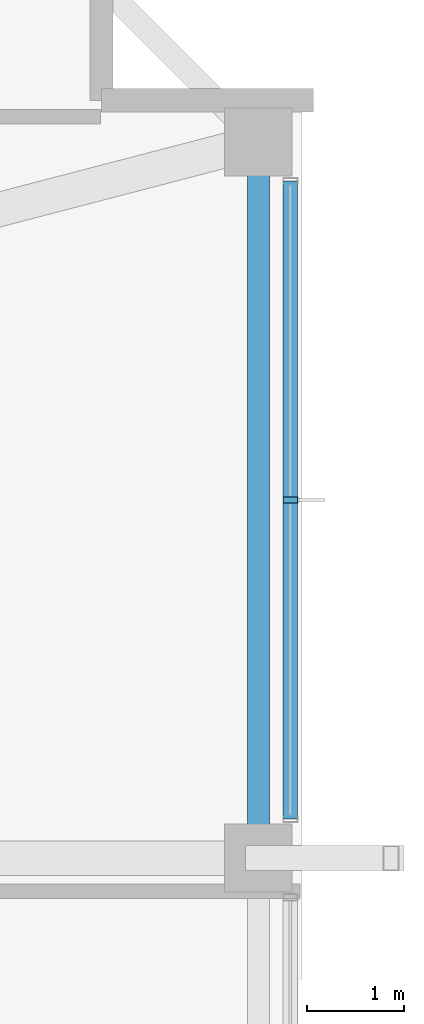
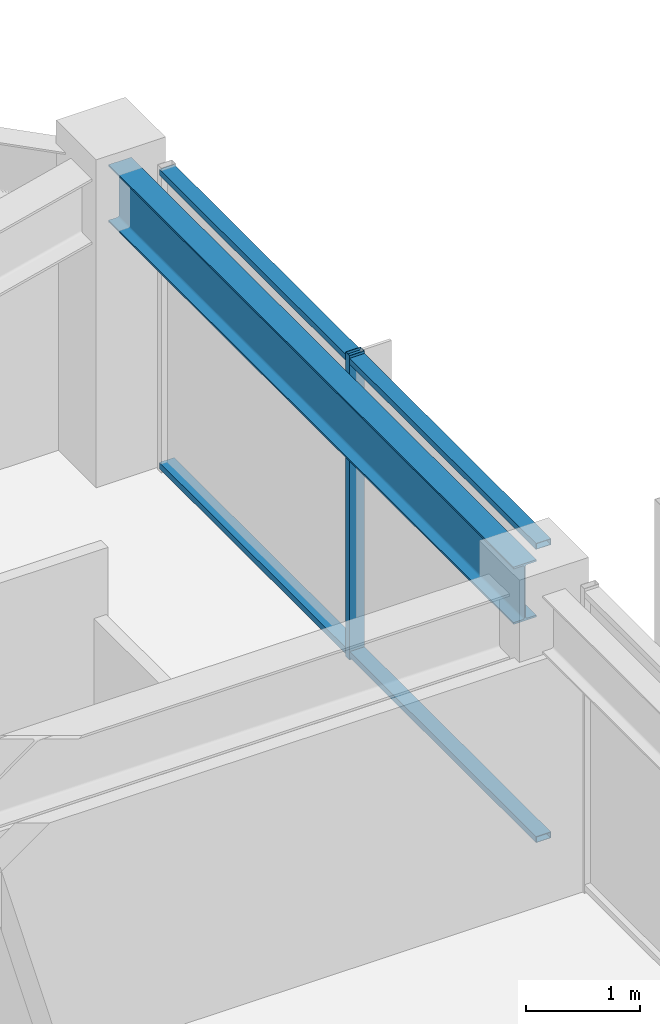
# One storey, part 13 of 31: 3 members, 1 beam, 1 element without a shape of its own.
"""IFC4 building model written with IfcOpenShell, lengths in metres."""

from ifc_helpers import new_model, si_unit, direction, frame, origin, origin_2d, place, context, subcontext, project, spatial, hollow_rectangle, i_section, extrude, material, material_profile, profile_set, type_object, element, aggregate, save


model = new_model("IFC4")

# Units and contexts
model_context = context("Model", 3, precision=1e-05, world=origin(), true_north=direction((0.0, 1.0)))
body_context = subcontext(model_context, "Body", "Model", "MODEL_VIEW")
ifc_project = project(units=[si_unit("LENGTHUNIT", "METRE"), si_unit("AREAUNIT", "SQUARE_METRE"), si_unit("VOLUMEUNIT", "CUBIC_METRE"), si_unit("PLANEANGLEUNIT", "RADIAN"), si_unit("MASSUNIT", "GRAM", prefix="KILO")], contexts=[model_context])

# Site, building, storey
site_placement = place(None, origin())
site = spatial("IfcSite", under=ifc_project, at=site_placement, CompositionType="ELEMENT")
building_placement = place(site_placement, origin())
building = spatial("IfcBuilding", under=site, at=building_placement, Name="Kolvaren Belvedere", CompositionType="ELEMENT")
storey_placement = place(building_placement, frame((0.0, 0.0, 247.89990234375)))
storey = spatial("IfcBuildingStorey", under=building, at=storey_placement, Name="L72", CompositionType="ELEMENT", Elevation=247.89990234375)

# Beam
ifc_material_1 = material(Name="Structural steel ASTM A992 Grade 50", Category="steel")
ifc_material_profile_1 = material_profile(ifc_material_1, i_section(OverallWidth=0.22900390625, OverallDepth=0.612060546875, WebThickness=0.011962890625, FlangeThickness=0.01953125, FilletRadius=0.01806640625, at=origin_2d()), Name="W24X84")
ifc_profile_set_1 = profile_set([ifc_material_profile_1], Name="Structural steel ASTM A992 Grade 50")
beam_type = type_object("IfcBeamType", Name="BM-SPAN-W24X84", PredefinedType="SPANDREL", material=ifc_profile_set_1)
beam_placement = place(storey_placement, frame((17.949951171875, 4.757568359375, 2.944091796875), z_axis=(0.0, 1.0, 0.0), x_axis=(-1.0, 0.0, 0.0)))
element("IfcBeam", 1, at=beam_placement, inside=storey, type_object=beam_type, Name="L72 Perimeter Spandrel E3-E4", PredefinedType="SPANDREL", context=body_context, shape_type="SweptSolid", body=[
    extrude(i_section(OverallWidth=0.22900390625, OverallDepth=0.612060546875, WebThickness=0.011962890625, FlangeThickness=0.01953125, FilletRadius=0.01806640625, at=origin_2d()), origin(), (0.0, 0.0, 1.0), 7.0849609375),
])

# Curtain wall, members
ifc_material_2 = material(Name="Anodised pale-metal aluminium AA 6063-T6", Category="aluminium")
curtain_wall_type = type_object("IfcCurtainWallType", Name="CW-Z5-HIGH", PredefinedType="NOTDEFINED", material=ifc_material_2)
curtain_wall_placement = place(storey_placement, origin())
curtain_wall = element("IfcCurtainWall", 2, at=curtain_wall_placement, inside=storey, type_object=curtain_wall_type, Name="L72 Unitised Curtain Wall FCW-L72-E-B1", PredefinedType="NOTDEFINED")
ifc_material_3 = material(Name="Anodised pale-metal aluminium AA 6063-T6", Category="aluminium")
ifc_material_profile_2 = material_profile(ifc_material_3, hollow_rectangle(XDim=0.070068359375, YDim=0.14990234375, WallThickness=0.004150390625, at=origin_2d()), Name="ALU-MUL-150X70")
ifc_profile_set_2 = profile_set([ifc_material_profile_2], Name="Anodised pale-metal aluminium AA 6063-T6")
member_type_1 = type_object("IfcMemberType", Name="CW-MUL-150", PredefinedType="MULLION", material=ifc_profile_set_2)
member_1_placement = place(storey_placement, frame((18.280029296875, 8.300048828125, 0.0), z_axis=(0.0, 0.0, 1.0), x_axis=(0.0, 1.0, 0.0)))
member_1 = element("IfcMember", 3, at=member_1_placement, type_object=member_type_1, Name="FCW-L72-E-B1 Unitised Mullion 2", PredefinedType="MULLION", context=body_context, shape_type="SweptSolid", body=[
    extrude(hollow_rectangle(XDim=0.070068359375, YDim=0.14990234375, WallThickness=0.004150390625, at=origin_2d()), origin(), (0.0, 0.0, 1.0), 3.25),
])
ifc_material_4 = material(Name="Anodised pale-metal aluminium AA 6063-T6", Category="aluminium")
ifc_material_profile_3 = material_profile(ifc_material_4, hollow_rectangle(XDim=0.06494140625, YDim=0.14990234375, WallThickness=0.00390625, at=origin_2d()), Name="ALU-TRN-150X65")
ifc_profile_set_3 = profile_set([ifc_material_profile_3], Name="Anodised pale-metal aluminium AA 6063-T6")
member_type_2 = type_object("IfcMemberType", Name="CW-TRN-150", PredefinedType="USERDEFINED", material=ifc_profile_set_3)
member_2_placement = place(storey_placement, frame((18.280029296875, 11.594970703125, 0.06005859375), z_axis=(0.0, -1.0, 0.0), x_axis=(0.0, 0.0, 1.0)))
member_2 = element("IfcMember", 4, at=member_2_placement, type_object=member_type_2, Name="FCW-L72-E-B1 Sill Transom", ObjectType="TRANSOM", PredefinedType="USERDEFINED", context=body_context, shape_type="SweptSolid", body=[
    extrude(hollow_rectangle(XDim=0.06494140625, YDim=0.14990234375, WallThickness=0.00390625, at=origin_2d()), origin(), (0.0, 0.0, 1.0), 6.590087890625),
])
member_3_placement = place(storey_placement, frame((18.280029296875, 11.594970703125, 3.190185546875), z_axis=(0.0, -1.0, 0.0), x_axis=(0.0, 0.0, 1.0)))
member_3 = element("IfcMember", 5, at=member_3_placement, type_object=member_type_2, Name="FCW-L72-E-B1 Head Transom", ObjectType="TRANSOM", PredefinedType="USERDEFINED", context=body_context, shape_type="SweptSolid", body=[
    extrude(hollow_rectangle(XDim=0.06494140625, YDim=0.14990234375, WallThickness=0.00390625, at=origin_2d()), origin(), (0.0, 0.0, 1.0), 6.590087890625),
])
aggregate(curtain_wall, [member_1, member_2, member_3])

save(model, "model.ifc")
